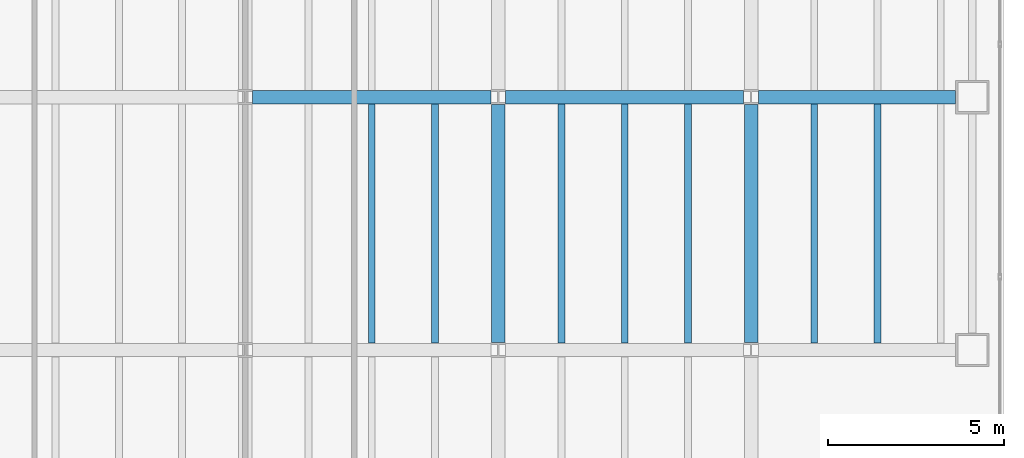
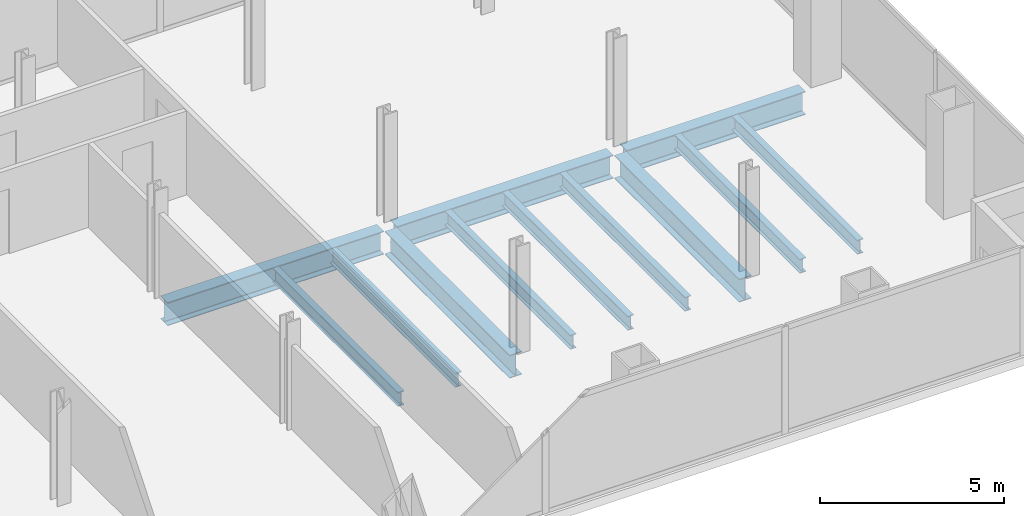
# One storey, part 9 of 23: 12 beams.
"""IFC4 building model written with IfcOpenShell, lengths in metres."""

from ifc_helpers import new_model, si_unit, direction, frame, origin, origin_2d, place, context, subcontext, project, spatial, i_section, extrude, material, material_profile, profile_set, type_object, element, save


model = new_model("IFC4")

# Units and contexts
model_context = context("Model", 3, precision=1e-05, world=origin(), true_north=direction((0.0, 1.0)))
body_context = subcontext(model_context, "Body", "Model", "MODEL_VIEW")
ifc_project = project(units=[si_unit("LENGTHUNIT", "METRE"), si_unit("AREAUNIT", "SQUARE_METRE"), si_unit("VOLUMEUNIT", "CUBIC_METRE"), si_unit("PLANEANGLEUNIT", "RADIAN"), si_unit("MASSUNIT", "GRAM", prefix="KILO")], contexts=[model_context])

# Site, building, storey
site_placement = place(None, origin())
site = spatial("IfcSite", under=ifc_project, at=site_placement, CompositionType="ELEMENT")
building_placement = place(site_placement, origin())
building = spatial("IfcBuilding", under=site, at=building_placement, Name="Cobrela Telecom Tower", CompositionType="ELEMENT")
storey_placement = place(building_placement, frame((0.0, 0.0, 81.199951171875)))
storey = spatial("IfcBuildingStorey", under=building, at=storey_placement, Name="L20", CompositionType="ELEMENT", Elevation=81.199951171875)

# Beams
ifc_material = material(Name="Steel ASTM A992 Grade 50", Category="steel")
ifc_material_profile_1 = material_profile(ifc_material, i_section(OverallWidth=0.381103515625, OverallDepth=0.77197265625, WebThickness=0.0166015625, FlangeThickness=0.027099609375, FilletRadius=0.01904296875, at=origin_2d()), Name="W30X173")
ifc_profile_set_1 = profile_set([ifc_material_profile_1], Name="Steel ASTM A992 Grade 50")
beam_type_1 = type_object("IfcBeamType", Name="BM-GIRD-04", PredefinedType="USERDEFINED", material=ifc_profile_set_1)
for number, where, z_axis, x_axis, name in (
    (1, (29.009521484375, 14.39990234375, -0.666015625), (1.0, 0.0, 0.0), (0.0, 1.0, 0.0), "L20 Primary Girder X15"),
    (2, (36.20947265625, 14.39990234375, -0.666015625), (1.0, 0.0, 0.0), (0.0, 1.0, 0.0), "L20 Primary Girder X16"),
):
    element("IfcBeam", number, at=place(storey_placement, frame(where, z_axis=z_axis, x_axis=x_axis)), inside=storey, type_object=beam_type_1, Name=name, ObjectType="GIRDER", PredefinedType="USERDEFINED", context=body_context, shape_type="SweptSolid", body=[
        extrude(i_section(OverallWidth=0.381103515625, OverallDepth=0.77197265625, WebThickness=0.0166015625, FlangeThickness=0.027099609375, FilletRadius=0.01904296875, at=origin_2d()), origin(), (0.0, 0.0, 1.0), 6.781005859375),
    ])
beam_placement = place(storey_placement, frame((43.409423828125, 14.39990234375, -0.666015625), z_axis=(1.0, 0.0, 0.0), x_axis=(0.0, 1.0, 0.0)))
element("IfcBeam", 3, at=beam_placement, inside=storey, type_object=beam_type_1, Name="L20 Primary Girder X17", ObjectType="GIRDER", PredefinedType="USERDEFINED", context=body_context, shape_type="SweptSolid", body=[
    extrude(i_section(OverallWidth=0.381103515625, OverallDepth=0.77197265625, WebThickness=0.0166015625, FlangeThickness=0.027099609375, FilletRadius=0.01904296875, at=origin_2d()), origin(), (0.0, 0.0, 1.0), 5.610595703125),
])
for number, where, z_axis, x_axis, name in (
    (4, (36.0, 7.409423828125, -0.666015625), (0.0, 1.0, 0.0), (-1.0, 0.0, 0.0), "L20 Primary Girder Y51"),
    (5, (43.199951171875, 7.409423828125, -0.666015625), (0.0, 1.0, 0.0), (-1.0, 0.0, 0.0), "L20 Primary Girder Y54"),
):
    element("IfcBeam", number, at=place(storey_placement, frame(where, z_axis=z_axis, x_axis=x_axis)), inside=storey, type_object=beam_type_1, Name=name, ObjectType="GIRDER", PredefinedType="USERDEFINED", context=body_context, shape_type="SweptSolid", body=[
        extrude(i_section(OverallWidth=0.381103515625, OverallDepth=0.77197265625, WebThickness=0.0166015625, FlangeThickness=0.027099609375, FilletRadius=0.01904296875, at=origin_2d()), origin(), (0.0, 0.0, 1.0), 6.781005859375),
    ])
ifc_material_profile_2 = material_profile(ifc_material, i_section(OverallWidth=0.193115234375, OverallDepth=0.467041015625, WebThickness=0.011474609375, FlangeThickness=0.01904296875, FilletRadius=0.012939453125, at=origin_2d()), Name="W18X65")
ifc_profile_set_2 = profile_set([ifc_material_profile_2], Name="Steel ASTM A992 Grade 50")
beam_type_2 = type_object("IfcBeamType", Name="BM-JOIST-03", PredefinedType="JOIST", material=ifc_profile_set_2)
for number, where, z_axis, x_axis, name in (
    (6, (32.39990234375, 7.3955078125, -0.513427734375), (0.0, 1.0, 0.0), (-1.0, 0.0, 0.0), "L20 Secondary Composite Floor Beam J45"),
    (7, (34.199951171875, 7.3955078125, -0.513427734375), (0.0, 1.0, 0.0), (-1.0, 0.0, 0.0), "L20 Secondary Composite Floor Beam J48"),
    (8, (37.800048828125, 7.3955078125, -0.513427734375), (0.0, 1.0, 0.0), (-1.0, 0.0, 0.0), "L20 Secondary Composite Floor Beam J51"),
    (9, (39.60009765625, 7.3955078125, -0.513427734375), (0.0, 1.0, 0.0), (-1.0, 0.0, 0.0), "L20 Secondary Composite Floor Beam J54"),
    (10, (41.39990234375, 7.3955078125, -0.513427734375), (0.0, 1.0, 0.0), (-1.0, 0.0, 0.0), "L20 Secondary Composite Floor Beam J57"),
    (11, (45.0, 7.3955078125, -0.513427734375), (0.0, 1.0, 0.0), (-1.0, 0.0, 0.0), "L20 Secondary Composite Floor Beam J59"),
    (12, (46.800048828125, 7.3955078125, -0.513427734375), (0.0, 1.0, 0.0), (-1.0, 0.0, 0.0), "L20 Secondary Composite Floor Beam J61"),
):
    element("IfcBeam", number, at=place(storey_placement, frame(where, z_axis=z_axis, x_axis=x_axis)), inside=storey, type_object=beam_type_2, Name=name, PredefinedType="JOIST", context=body_context, shape_type="SweptSolid", body=[
        extrude(i_section(OverallWidth=0.193115234375, OverallDepth=0.467041015625, WebThickness=0.011474609375, FlangeThickness=0.01904296875, FilletRadius=0.012939453125, at=origin_2d()), origin(), (0.0, 0.0, 1.0), 6.80908203125),
    ])

save(model, "model.ifc")
